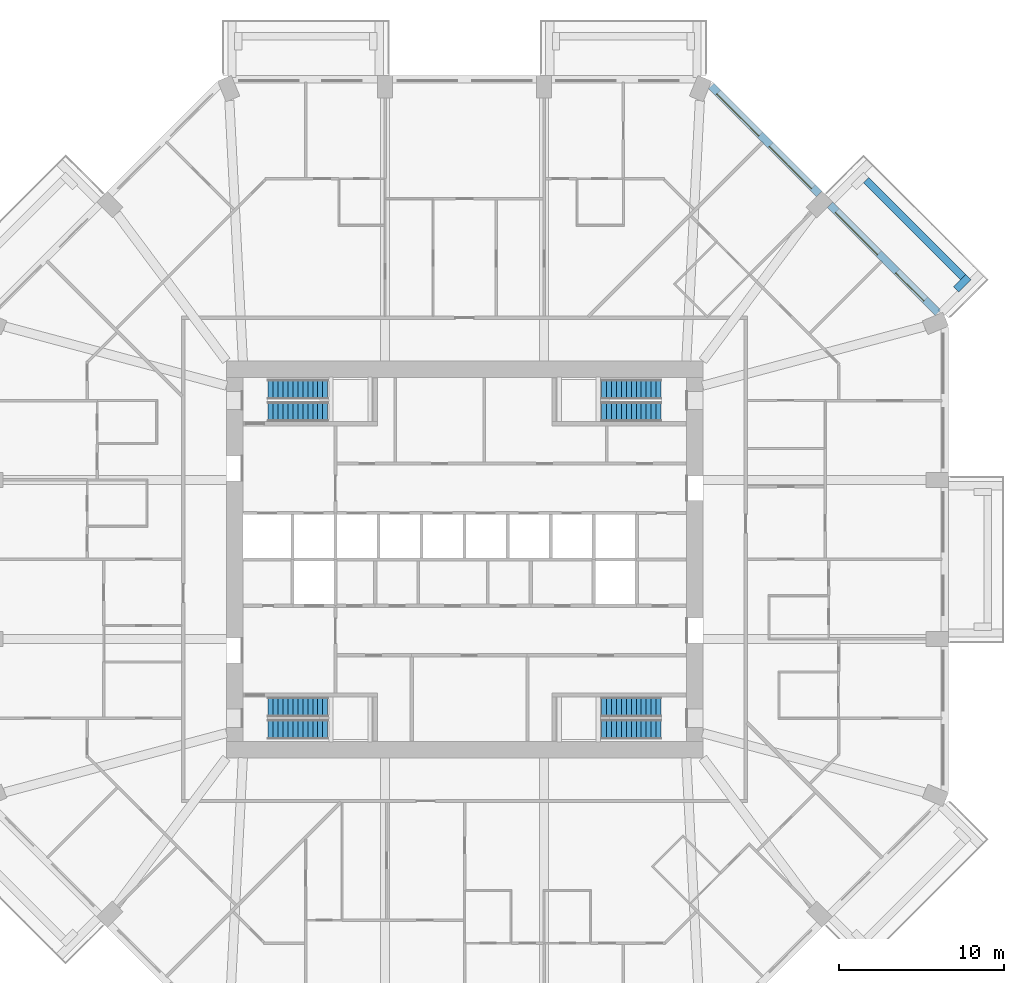
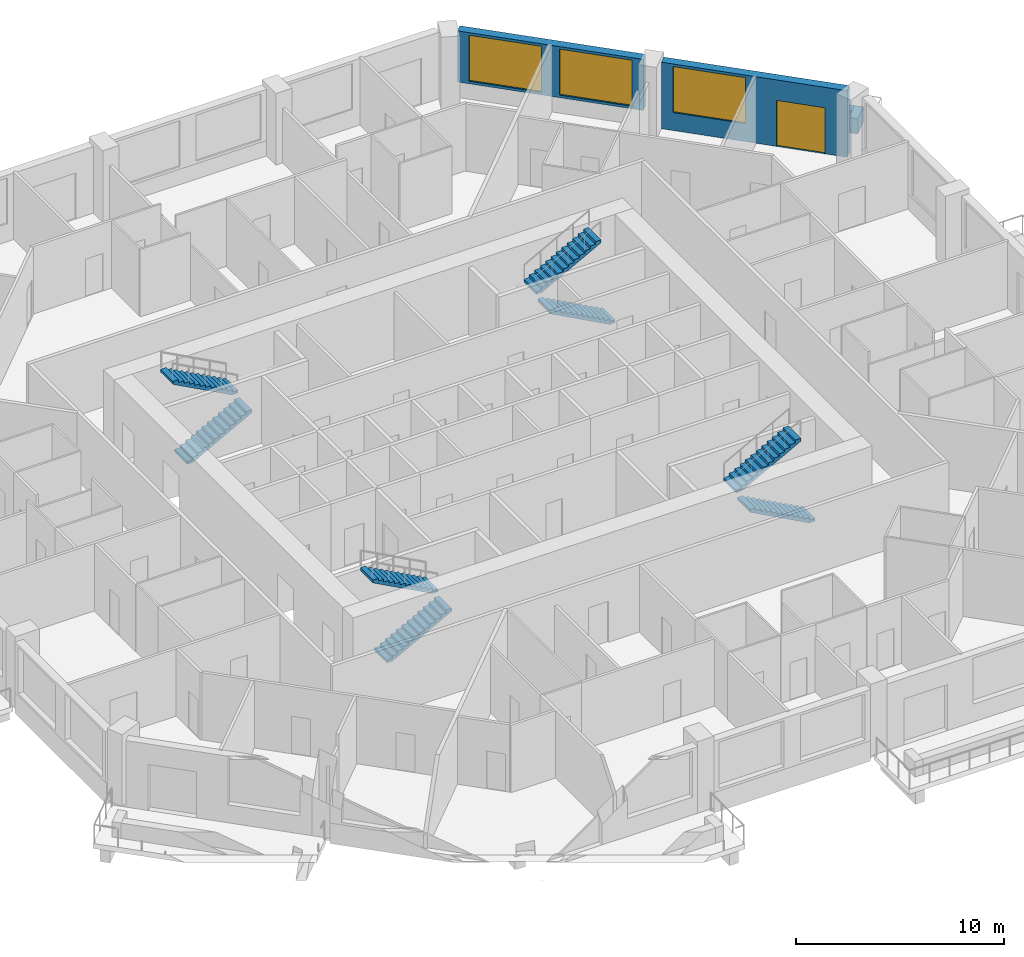
# One storey, part 11 of 13: 8 stair flights, 4 walls, 3 windows, 1 door, 4 openings, 4 elements without a shape of their own.
"""IFC4 building model written with IfcOpenShell, lengths in metres."""

from ifc_helpers import new_model, si_unit, direction, frame, frame_2d, origin, place, context, subcontext, project, spatial, polyline, rectangle, outline, extrude, material, layer, layer_set, type_object, element, fill, aggregate, save


model = new_model("IFC4")

# Units and contexts
model_context = context("Model", 3, precision=1e-05, world=origin(), true_north=direction((0.0, 1.0)))
body_context = subcontext(model_context, "Body", "Model", "MODEL_VIEW")
ifc_project = project(units=[si_unit("LENGTHUNIT", "METRE"), si_unit("AREAUNIT", "SQUARE_METRE"), si_unit("VOLUMEUNIT", "CUBIC_METRE"), si_unit("PLANEANGLEUNIT", "RADIAN"), si_unit("MASSUNIT", "GRAM", prefix="KILO")], contexts=[model_context])

# Site, building, storey
site_placement = place(None, origin())
site = spatial("IfcSite", under=ifc_project, at=site_placement, CompositionType="ELEMENT")
building_placement = place(site_placement, origin())
building = spatial("IfcBuilding", under=site, at=building_placement, Name="Msitu Wima Residences", CompositionType="ELEMENT")
storey_placement = place(building_placement, frame((0.0, 0.0, 75.89990234375)))
storey = spatial("IfcBuildingStorey", under=building, at=storey_placement, Name="L17", CompositionType="ELEMENT", Elevation=75.89990234375)

# Walls
ifc_material_1 = material(Name="Facing brick")
ifc_layer_1 = layer(ifc_material_1, 0.06494140625, Name="Facing brick")
ifc_material_2 = material(Name="Concrete C40/50", Category="concrete")
ifc_layer_2 = layer(ifc_material_2, 0.156005859375, Name="Concrete C40/50")
ifc_material_3 = material(Name="Waterproofing membrane")
ifc_layer_3 = layer(ifc_material_3, 0.00390625, Name="Waterproofing membrane")
ifc_material_4 = material(Name="Planting soil and planting")
ifc_layer_4 = layer(ifc_material_4, 0.22509765625, Name="Planting soil and planting")
ifc_layer_set_1 = layer_set([ifc_layer_1, ifc_layer_2, ifc_layer_3, ifc_layer_4], Name="Concrete C40/50")
wall_type_1 = type_object("IfcWallType", Name="Balcony planter PLANTER PL450", PredefinedType="USERDEFINED", material=ifc_layer_set_1)
wall_1_placement = place(storey_placement, frame((30.125732421875, 17.0693359375, 0.0), z_axis=(0.0, 0.0, 1.0), x_axis=(-0.707106781187, 0.707106781187, 0.0)))
element("IfcWall", 1, at=wall_1_placement, inside=storey, type_object=wall_type_1, Name="Balcony planter NE0 L17", ObjectType="PLANTER", PredefinedType="USERDEFINED", context=body_context, shape_type="SweptSolid", body=[
    extrude(rectangle(XDim=8.2822265625, YDim=0.449951171875, at=frame_2d((4.14111328125, 0.0))), origin(), (0.0, 0.0, 1.0), 0.900146484375),
])
wall_2_placement = place(storey_placement, frame((29.70166015625, 16.326904296875, 0.0), z_axis=(0.0, 0.0, 1.0), x_axis=(0.707106781187, 0.707106781187, 0.0)))
element("IfcWall", 2, at=wall_2_placement, inside=storey, type_object=wall_type_1, Name="Balcony planter NE0 L17", ObjectType="PLANTER", PredefinedType="USERDEFINED", context=body_context, shape_type="SweptSolid", body=[
    extrude(rectangle(XDim=1.050048828125, YDim=0.449951171875, at=frame_2d((0.52490234375, 0.0))), origin(), (0.0, 0.0, 1.0), 0.900146484375),
])

# Wall, openings, door, window
ifc_material_5 = material(Name="Brick (red buff mix)", Category="masonry")
ifc_layer_5 = layer(ifc_material_5, 0.449951171875)
ifc_layer_set_2 = layer_set([ifc_layer_5], Name="Brick (red buff mix)")
wall_type_2 = type_object("IfcWallType", Name="Brick infill wall BW450", PredefinedType="SOLIDWALL", material=ifc_layer_set_2)
wall_3_placement = place(storey_placement, frame((28.61474609375, 14.903564453125, 0.0), z_axis=(0.0, 0.0, 1.0), x_axis=(-0.707106781187, 0.707106781187, 0.0)))
wall_3 = element("IfcWall", 3, at=wall_3_placement, inside=storey, type_object=wall_type_2, Name="Brick infill wall L17 NE0", PredefinedType="SOLIDWALL", context=body_context, shape_type="SweptSolid", body=[
    extrude(rectangle(XDim=9.2451171875, YDim=0.449951171875, at=frame_2d((4.62255859375, 0.0))), origin(), (0.0, 0.0, 1.0), 3.900146484375),
])
opening_1_placement = place(wall_3_placement, frame((1.111328125, 0.0, 0.0)))
opening_1 = element("IfcOpeningElement", 4, at=opening_1_placement, cuts=wall_3, Name="Opening D16-17.004", PredefinedType="OPENING", context=body_context, shape_type="SweptSolid", body=[
    extrude(rectangle(XDim=2.39990234375, YDim=2.699951171875, at=frame_2d((1.199951171875, 1.35009765625))), frame((0.0, 0.23486328125, 0.0), z_axis=(0.0, -1.0, 0.0), x_axis=(1.0, 0.0, 0.0)), (0.0, 0.0, 1.0), 0.469970703125),
])
opening_2_placement = place(wall_3_placement, frame((5.072509765625, 0.0, 1.050048828125)))
opening_2 = element("IfcOpeningElement", 5, at=opening_2_placement, cuts=wall_3, Name="Opening W16-17.010", PredefinedType="OPENING", context=body_context, shape_type="SweptSolid", body=[
    extrude(rectangle(XDim=3.60009765625, YDim=2.699951171875, at=frame_2d((1.800048828125, 1.35009765625))), frame((0.0, 0.23486328125, 0.0), z_axis=(0.0, -1.0, 0.0), x_axis=(1.0, 0.0, 0.0)), (0.0, 0.0, 1.0), 0.469970703125),
])
ifc_material_6 = material(Name="Anodised aluminium, bronze finish, clear low-emissivity double glazing", Category="aluminium")
door_type = type_object("IfcDoorType", Name="Balcony door D2400x2700", OperationType="SLIDING_TO_LEFT", PredefinedType="DOOR", material=ifc_material_6)
door_placement = place(opening_1_placement, origin())
door = element("IfcDoor", 6, at=door_placement, inside=storey, type_object=door_type, Name="Balcony door L17 NE0", OperationType="SINGLE_SWING_LEFT", OverallHeight=2.699951171875, OverallWidth=2.39990234375, PredefinedType="DOOR", context=body_context, shape_type="SweptSolid", body=[
    extrude(rectangle(XDim=2.39990234375, YDim=2.699951171875, at=frame_2d((1.199951171875, 1.35009765625))), frame((0.0, 0.1298828125, 0.0), z_axis=(0.0, -1.0, 0.0), x_axis=(1.0, 0.0, 0.0)), (0.0, 0.0, 1.0), 0.050048828125),
])
fill(opening_1, door)
window_type = type_object("IfcWindowType", Name="Window W3600x2700", PartitioningType="DOUBLE_PANEL_VERTICAL", PredefinedType="WINDOW", material=ifc_material_6)
window_1_placement = place(opening_2_placement, origin())
window_1 = element("IfcWindow", 7, at=window_1_placement, inside=storey, type_object=window_type, Name="Window L17 NE0.2", OverallHeight=2.699951171875, OverallWidth=3.60009765625, PartitioningType="SINGLE_PANEL", PredefinedType="WINDOW", context=body_context, shape_type="SweptSolid", body=[
    extrude(rectangle(XDim=3.60009765625, YDim=2.699951171875, at=frame_2d((1.800048828125, 1.35009765625))), frame((0.0, 0.135009765625, 0.0), z_axis=(0.0, -1.0, 0.0), x_axis=(1.0, 0.0, 0.0)), (0.0, 0.0, 1.0), 0.06005859375),
])
fill(opening_2, window_1)

# Wall, openings, windows
wall_4_placement = place(storey_placement, frame((21.44091796875, 22.077392578125, 0.900146484375), z_axis=(0.0, 0.0, 1.0), x_axis=(-0.707106781187, 0.707106781187, 0.0)))
wall_4 = element("IfcWall", 8, at=wall_4_placement, inside=storey, type_object=wall_type_2, Name="Brick infill wall L17 NE1", PredefinedType="SOLIDWALL", context=body_context, shape_type="SweptSolid", body=[
    extrude(rectangle(XDim=9.2451171875, YDim=0.449951171875, at=frame_2d((4.62255859375, 0.0))), origin(), (0.0, 0.0, 1.0), 3.0),
])
opening_3_placement = place(wall_4_placement, frame((0.572509765625, 0.0, 0.14990234375)))
opening_3 = element("IfcOpeningElement", 9, at=opening_3_placement, cuts=wall_4, Name="Opening W16-17.011", PredefinedType="OPENING", context=body_context, shape_type="SweptSolid", body=[
    extrude(rectangle(XDim=3.60009765625, YDim=2.699951171875, at=frame_2d((1.800048828125, 1.35009765625))), frame((0.0, 0.23486328125, 0.0), z_axis=(0.0, -1.0, 0.0), x_axis=(1.0, 0.0, 0.0)), (0.0, 0.0, 1.0), 0.469970703125),
])
opening_4_placement = place(wall_4_placement, frame((5.072509765625, 0.0, 0.14990234375)))
opening_4 = element("IfcOpeningElement", 10, at=opening_4_placement, cuts=wall_4, Name="Opening W16-17.012", PredefinedType="OPENING", context=body_context, shape_type="SweptSolid", body=[
    extrude(rectangle(XDim=3.60009765625, YDim=2.699951171875, at=frame_2d((1.800048828125, 1.35009765625))), frame((0.0, 0.23486328125, 0.0), z_axis=(0.0, -1.0, 0.0), x_axis=(1.0, 0.0, 0.0)), (0.0, 0.0, 1.0), 0.469970703125),
])
window_2_placement = place(opening_3_placement, origin())
window_2 = element("IfcWindow", 11, at=window_2_placement, inside=storey, type_object=window_type, Name="Window L17 NE1.1", OverallHeight=2.699951171875, OverallWidth=3.60009765625, PartitioningType="SINGLE_PANEL", PredefinedType="WINDOW", context=body_context, shape_type="SweptSolid", body=[
    extrude(rectangle(XDim=3.60009765625, YDim=2.699951171875, at=frame_2d((1.800048828125, 1.35009765625))), frame((0.0, 0.135009765625, 0.0), z_axis=(0.0, -1.0, 0.0), x_axis=(1.0, 0.0, 0.0)), (0.0, 0.0, 1.0), 0.06005859375),
])
fill(opening_3, window_2)
window_3_placement = place(opening_4_placement, origin())
window_3 = element("IfcWindow", 12, at=window_3_placement, inside=storey, type_object=window_type, Name="Window L17 NE1.2", OverallHeight=2.699951171875, OverallWidth=3.60009765625, PartitioningType="SINGLE_PANEL", PredefinedType="WINDOW", context=body_context, shape_type="SweptSolid", body=[
    extrude(rectangle(XDim=3.60009765625, YDim=2.699951171875, at=frame_2d((1.800048828125, 1.35009765625))), frame((0.0, 0.135009765625, 0.0), z_axis=(0.0, -1.0, 0.0), x_axis=(1.0, 0.0, 0.0)), (0.0, 0.0, 1.0), 0.06005859375),
])
fill(opening_4, window_3)

# Stair, stair flights
stair_type = type_object("IfcStairType", Name="Exit stair ES1615-120", PredefinedType="HALF_TURN_STAIR", material=ifc_material_2)
stair_1_placement = place(storey_placement, origin())
stair_1 = element("IfcStair", 13, at=stair_1_placement, inside=storey, type_object=stair_type, Name="Exit stair 1", PredefinedType="HALF_TURN_STAIR")
stair_flight_type = type_object("IfcStairFlightType", Name="Exit stair flight ES1615-120", PredefinedType="STRAIGHT", material=ifc_material_2)
stair_flight_1_placement = place(storey_placement, frame((-11.875, 8.925048828125, 0.0), z_axis=(0.0, 0.0, 1.0), x_axis=(1.0, 0.0, 0.0)))
stair_flight_1 = element("IfcStairFlight", 14, at=stair_flight_1_placement, type_object=stair_flight_type, Name="S1 flight 1", NumberOfRisers=13, NumberOfTreads=12, PredefinedType="STRAIGHT", RiserHeight=0.161538462, TreadLength=0.3, context=body_context, shape_type="SweptSolid", body=[
    extrude(outline(polyline([(0.0, 0.0), (0.0, 0.16162109375), (0.300048828125, 0.16162109375), (0.300048828125, 0.322998046875), (0.60009765625, 0.322998046875), (0.60009765625, 0.484619140625), (0.89990234375, 0.484619140625), (0.89990234375, 0.646240234375), (1.199951171875, 0.646240234375), (1.199951171875, 0.8076171875), (1.5, 0.8076171875), (1.5, 0.96923828125), (1.800048828125, 0.96923828125), (1.800048828125, 1.130859375), (2.10009765625, 1.130859375), (2.10009765625, 1.292236328125), (2.39990234375, 1.292236328125), (2.39990234375, 1.453857421875), (2.699951171875, 1.453857421875), (2.699951171875, 1.615478515625), (3.0, 1.615478515625), (3.0, 1.77685546875), (3.300048828125, 1.77685546875), (3.300048828125, 1.9384765625), (3.60009765625, 1.9384765625), (3.60009765625, 2.10009765625), (3.60009765625, 1.768310546875), (0.316162109375, 0.0), (0.0, 0.0)])), frame((0.0, 0.60009765625, 0.0), z_axis=(0.0, -1.0, 0.0), x_axis=(1.0, 0.0, 0.0)), (0.0, 0.0, 1.0), 1.199951171875),
])
stair_flight_2_placement = place(storey_placement, frame((-8.27490234375, 10.27490234375, 2.10009765625), z_axis=(0.0, 0.0, 1.0), x_axis=(-1.0, 0.0, 0.0)))
stair_flight_2 = element("IfcStairFlight", 15, at=stair_flight_2_placement, type_object=stair_flight_type, Name="S1 flight 2", NumberOfRisers=13, NumberOfTreads=12, PredefinedType="STRAIGHT", RiserHeight=0.161538462, TreadLength=0.3, context=body_context, shape_type="SweptSolid", body=[
    extrude(outline(polyline([(0.0, 0.0), (0.0, 0.16162109375), (0.300048828125, 0.16162109375), (0.300048828125, 0.322998046875), (0.60009765625, 0.322998046875), (0.60009765625, 0.484619140625), (0.89990234375, 0.484619140625), (0.89990234375, 0.646240234375), (1.199951171875, 0.646240234375), (1.199951171875, 0.8076171875), (1.5, 0.8076171875), (1.5, 0.96923828125), (1.800048828125, 0.96923828125), (1.800048828125, 1.130859375), (2.10009765625, 1.130859375), (2.10009765625, 1.292236328125), (2.39990234375, 1.292236328125), (2.39990234375, 1.453857421875), (2.699951171875, 1.453857421875), (2.699951171875, 1.615478515625), (3.0, 1.615478515625), (3.0, 1.77685546875), (3.300048828125, 1.77685546875), (3.300048828125, 1.9384765625), (3.60009765625, 1.9384765625), (3.60009765625, 2.10009765625), (3.60009765625, 1.768310546875), (0.316162109375, 0.0), (0.0, 0.0)])), frame((0.0, 0.60009765625, 0.0), z_axis=(0.0, -1.0, 0.0), x_axis=(1.0, 0.0, 0.0)), (0.0, 0.0, 1.0), 1.199951171875),
])
aggregate(stair_1, [stair_flight_1, stair_flight_2])

stair_2_placement = place(storey_placement, origin())
stair_2 = element("IfcStair", 16, at=stair_2_placement, inside=storey, type_object=stair_type, Name="Exit stair 2", PredefinedType="HALF_TURN_STAIR")
stair_flight_3_placement = place(storey_placement, frame((-11.875, -10.27490234375, 0.0), z_axis=(0.0, 0.0, 1.0), x_axis=(1.0, 0.0, 0.0)))
stair_flight_3 = element("IfcStairFlight", 17, at=stair_flight_3_placement, type_object=stair_flight_type, Name="S2 flight 1", NumberOfRisers=13, NumberOfTreads=12, PredefinedType="STRAIGHT", RiserHeight=0.161538462, TreadLength=0.3, context=body_context, shape_type="SweptSolid", body=[
    extrude(outline(polyline([(0.0, 0.0), (0.0, 0.16162109375), (0.300048828125, 0.16162109375), (0.300048828125, 0.322998046875), (0.60009765625, 0.322998046875), (0.60009765625, 0.484619140625), (0.89990234375, 0.484619140625), (0.89990234375, 0.646240234375), (1.199951171875, 0.646240234375), (1.199951171875, 0.8076171875), (1.5, 0.8076171875), (1.5, 0.96923828125), (1.800048828125, 0.96923828125), (1.800048828125, 1.130859375), (2.10009765625, 1.130859375), (2.10009765625, 1.292236328125), (2.39990234375, 1.292236328125), (2.39990234375, 1.453857421875), (2.699951171875, 1.453857421875), (2.699951171875, 1.615478515625), (3.0, 1.615478515625), (3.0, 1.77685546875), (3.300048828125, 1.77685546875), (3.300048828125, 1.9384765625), (3.60009765625, 1.9384765625), (3.60009765625, 2.10009765625), (3.60009765625, 1.768310546875), (0.316162109375, 0.0), (0.0, 0.0)])), frame((0.0, 0.60009765625, 0.0), z_axis=(0.0, -1.0, 0.0), x_axis=(1.0, 0.0, 0.0)), (0.0, 0.0, 1.0), 1.199951171875),
])
stair_flight_4_placement = place(storey_placement, frame((-8.27490234375, -8.925048828125, 2.10009765625), z_axis=(0.0, 0.0, 1.0), x_axis=(-1.0, 0.0, 0.0)))
stair_flight_4 = element("IfcStairFlight", 18, at=stair_flight_4_placement, type_object=stair_flight_type, Name="S2 flight 2", NumberOfRisers=13, NumberOfTreads=12, PredefinedType="STRAIGHT", RiserHeight=0.161538462, TreadLength=0.3, context=body_context, shape_type="SweptSolid", body=[
    extrude(outline(polyline([(0.0, 0.0), (0.0, 0.16162109375), (0.300048828125, 0.16162109375), (0.300048828125, 0.322998046875), (0.60009765625, 0.322998046875), (0.60009765625, 0.484619140625), (0.89990234375, 0.484619140625), (0.89990234375, 0.646240234375), (1.199951171875, 0.646240234375), (1.199951171875, 0.8076171875), (1.5, 0.8076171875), (1.5, 0.96923828125), (1.800048828125, 0.96923828125), (1.800048828125, 1.130859375), (2.10009765625, 1.130859375), (2.10009765625, 1.292236328125), (2.39990234375, 1.292236328125), (2.39990234375, 1.453857421875), (2.699951171875, 1.453857421875), (2.699951171875, 1.615478515625), (3.0, 1.615478515625), (3.0, 1.77685546875), (3.300048828125, 1.77685546875), (3.300048828125, 1.9384765625), (3.60009765625, 1.9384765625), (3.60009765625, 2.10009765625), (3.60009765625, 1.768310546875), (0.316162109375, 0.0), (0.0, 0.0)])), frame((0.0, 0.60009765625, 0.0), z_axis=(0.0, -1.0, 0.0), x_axis=(1.0, 0.0, 0.0)), (0.0, 0.0, 1.0), 1.199951171875),
])
aggregate(stair_2, [stair_flight_3, stair_flight_4])

stair_3_placement = place(storey_placement, origin())
stair_3 = element("IfcStair", 19, at=stair_3_placement, inside=storey, type_object=stair_type, Name="Exit stair 3", PredefinedType="HALF_TURN_STAIR")
stair_flight_5_placement = place(storey_placement, frame((11.875, 8.925048828125, 0.0), z_axis=(0.0, 0.0, 1.0), x_axis=(-1.0, 0.0, 0.0)))
stair_flight_5 = element("IfcStairFlight", 20, at=stair_flight_5_placement, type_object=stair_flight_type, Name="S3 flight 1", NumberOfRisers=13, NumberOfTreads=12, PredefinedType="STRAIGHT", RiserHeight=0.161538462, TreadLength=0.3, context=body_context, shape_type="SweptSolid", body=[
    extrude(outline(polyline([(0.0, 0.0), (0.0, 0.16162109375), (0.300048828125, 0.16162109375), (0.300048828125, 0.322998046875), (0.60009765625, 0.322998046875), (0.60009765625, 0.484619140625), (0.89990234375, 0.484619140625), (0.89990234375, 0.646240234375), (1.199951171875, 0.646240234375), (1.199951171875, 0.8076171875), (1.5, 0.8076171875), (1.5, 0.96923828125), (1.800048828125, 0.96923828125), (1.800048828125, 1.130859375), (2.10009765625, 1.130859375), (2.10009765625, 1.292236328125), (2.39990234375, 1.292236328125), (2.39990234375, 1.453857421875), (2.699951171875, 1.453857421875), (2.699951171875, 1.615478515625), (3.0, 1.615478515625), (3.0, 1.77685546875), (3.300048828125, 1.77685546875), (3.300048828125, 1.9384765625), (3.60009765625, 1.9384765625), (3.60009765625, 2.10009765625), (3.60009765625, 1.768310546875), (0.316162109375, 0.0), (0.0, 0.0)])), frame((0.0, 0.60009765625, 0.0), z_axis=(0.0, -1.0, 0.0), x_axis=(1.0, 0.0, 0.0)), (0.0, 0.0, 1.0), 1.199951171875),
])
stair_flight_6_placement = place(storey_placement, frame((8.27490234375, 10.27490234375, 2.10009765625), z_axis=(0.0, 0.0, 1.0), x_axis=(1.0, 0.0, 0.0)))
stair_flight_6 = element("IfcStairFlight", 21, at=stair_flight_6_placement, type_object=stair_flight_type, Name="S3 flight 2", NumberOfRisers=13, NumberOfTreads=12, PredefinedType="STRAIGHT", RiserHeight=0.161538462, TreadLength=0.3, context=body_context, shape_type="SweptSolid", body=[
    extrude(outline(polyline([(0.0, 0.0), (0.0, 0.16162109375), (0.300048828125, 0.16162109375), (0.300048828125, 0.322998046875), (0.60009765625, 0.322998046875), (0.60009765625, 0.484619140625), (0.89990234375, 0.484619140625), (0.89990234375, 0.646240234375), (1.199951171875, 0.646240234375), (1.199951171875, 0.8076171875), (1.5, 0.8076171875), (1.5, 0.96923828125), (1.800048828125, 0.96923828125), (1.800048828125, 1.130859375), (2.10009765625, 1.130859375), (2.10009765625, 1.292236328125), (2.39990234375, 1.292236328125), (2.39990234375, 1.453857421875), (2.699951171875, 1.453857421875), (2.699951171875, 1.615478515625), (3.0, 1.615478515625), (3.0, 1.77685546875), (3.300048828125, 1.77685546875), (3.300048828125, 1.9384765625), (3.60009765625, 1.9384765625), (3.60009765625, 2.10009765625), (3.60009765625, 1.768310546875), (0.316162109375, 0.0), (0.0, 0.0)])), frame((0.0, 0.60009765625, 0.0), z_axis=(0.0, -1.0, 0.0), x_axis=(1.0, 0.0, 0.0)), (0.0, 0.0, 1.0), 1.199951171875),
])
aggregate(stair_3, [stair_flight_5, stair_flight_6])

stair_4_placement = place(storey_placement, origin())
stair_4 = element("IfcStair", 22, at=stair_4_placement, inside=storey, type_object=stair_type, Name="Exit stair 4", PredefinedType="HALF_TURN_STAIR")
stair_flight_7_placement = place(storey_placement, frame((11.875, -10.27490234375, 0.0), z_axis=(0.0, 0.0, 1.0), x_axis=(-1.0, 0.0, 0.0)))
stair_flight_7 = element("IfcStairFlight", 23, at=stair_flight_7_placement, type_object=stair_flight_type, Name="S4 flight 1", NumberOfRisers=13, NumberOfTreads=12, PredefinedType="STRAIGHT", RiserHeight=0.161538462, TreadLength=0.3, context=body_context, shape_type="SweptSolid", body=[
    extrude(outline(polyline([(0.0, 0.0), (0.0, 0.16162109375), (0.300048828125, 0.16162109375), (0.300048828125, 0.322998046875), (0.60009765625, 0.322998046875), (0.60009765625, 0.484619140625), (0.89990234375, 0.484619140625), (0.89990234375, 0.646240234375), (1.199951171875, 0.646240234375), (1.199951171875, 0.8076171875), (1.5, 0.8076171875), (1.5, 0.96923828125), (1.800048828125, 0.96923828125), (1.800048828125, 1.130859375), (2.10009765625, 1.130859375), (2.10009765625, 1.292236328125), (2.39990234375, 1.292236328125), (2.39990234375, 1.453857421875), (2.699951171875, 1.453857421875), (2.699951171875, 1.615478515625), (3.0, 1.615478515625), (3.0, 1.77685546875), (3.300048828125, 1.77685546875), (3.300048828125, 1.9384765625), (3.60009765625, 1.9384765625), (3.60009765625, 2.10009765625), (3.60009765625, 1.768310546875), (0.316162109375, 0.0), (0.0, 0.0)])), frame((0.0, 0.60009765625, 0.0), z_axis=(0.0, -1.0, 0.0), x_axis=(1.0, 0.0, 0.0)), (0.0, 0.0, 1.0), 1.199951171875),
])
stair_flight_8_placement = place(storey_placement, frame((8.27490234375, -8.925048828125, 2.10009765625), z_axis=(0.0, 0.0, 1.0), x_axis=(1.0, 0.0, 0.0)))
stair_flight_8 = element("IfcStairFlight", 24, at=stair_flight_8_placement, type_object=stair_flight_type, Name="S4 flight 2", NumberOfRisers=13, NumberOfTreads=12, PredefinedType="STRAIGHT", RiserHeight=0.161538462, TreadLength=0.3, context=body_context, shape_type="SweptSolid", body=[
    extrude(outline(polyline([(0.0, 0.0), (0.0, 0.16162109375), (0.300048828125, 0.16162109375), (0.300048828125, 0.322998046875), (0.60009765625, 0.322998046875), (0.60009765625, 0.484619140625), (0.89990234375, 0.484619140625), (0.89990234375, 0.646240234375), (1.199951171875, 0.646240234375), (1.199951171875, 0.8076171875), (1.5, 0.8076171875), (1.5, 0.96923828125), (1.800048828125, 0.96923828125), (1.800048828125, 1.130859375), (2.10009765625, 1.130859375), (2.10009765625, 1.292236328125), (2.39990234375, 1.292236328125), (2.39990234375, 1.453857421875), (2.699951171875, 1.453857421875), (2.699951171875, 1.615478515625), (3.0, 1.615478515625), (3.0, 1.77685546875), (3.300048828125, 1.77685546875), (3.300048828125, 1.9384765625), (3.60009765625, 1.9384765625), (3.60009765625, 2.10009765625), (3.60009765625, 1.768310546875), (0.316162109375, 0.0), (0.0, 0.0)])), frame((0.0, 0.60009765625, 0.0), z_axis=(0.0, -1.0, 0.0), x_axis=(1.0, 0.0, 0.0)), (0.0, 0.0, 1.0), 1.199951171875),
])
aggregate(stair_4, [stair_flight_7, stair_flight_8])

save(model, "model.ifc")
